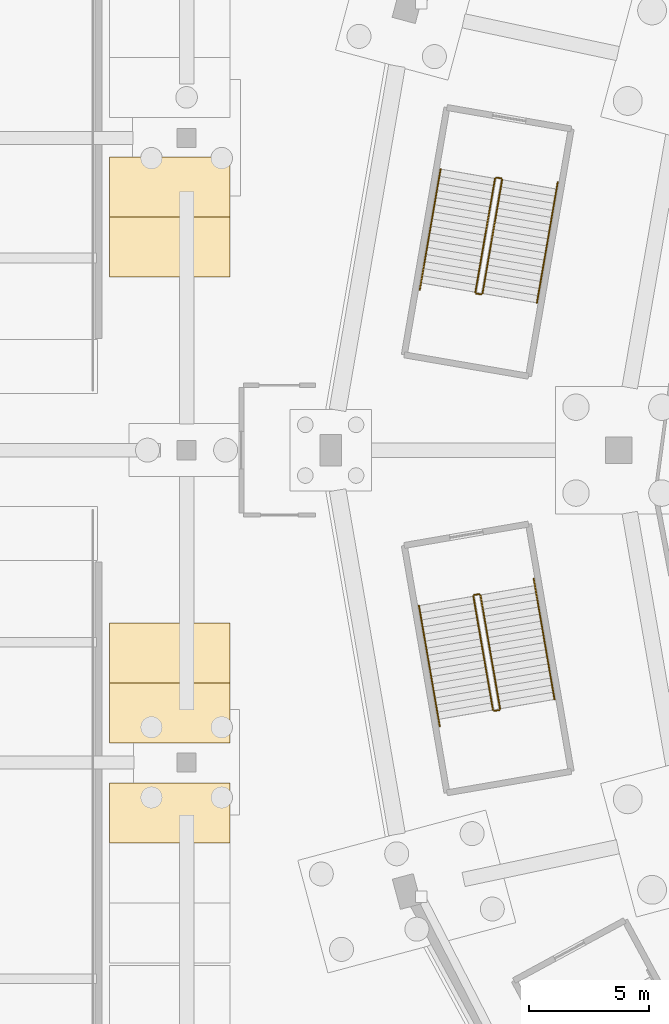
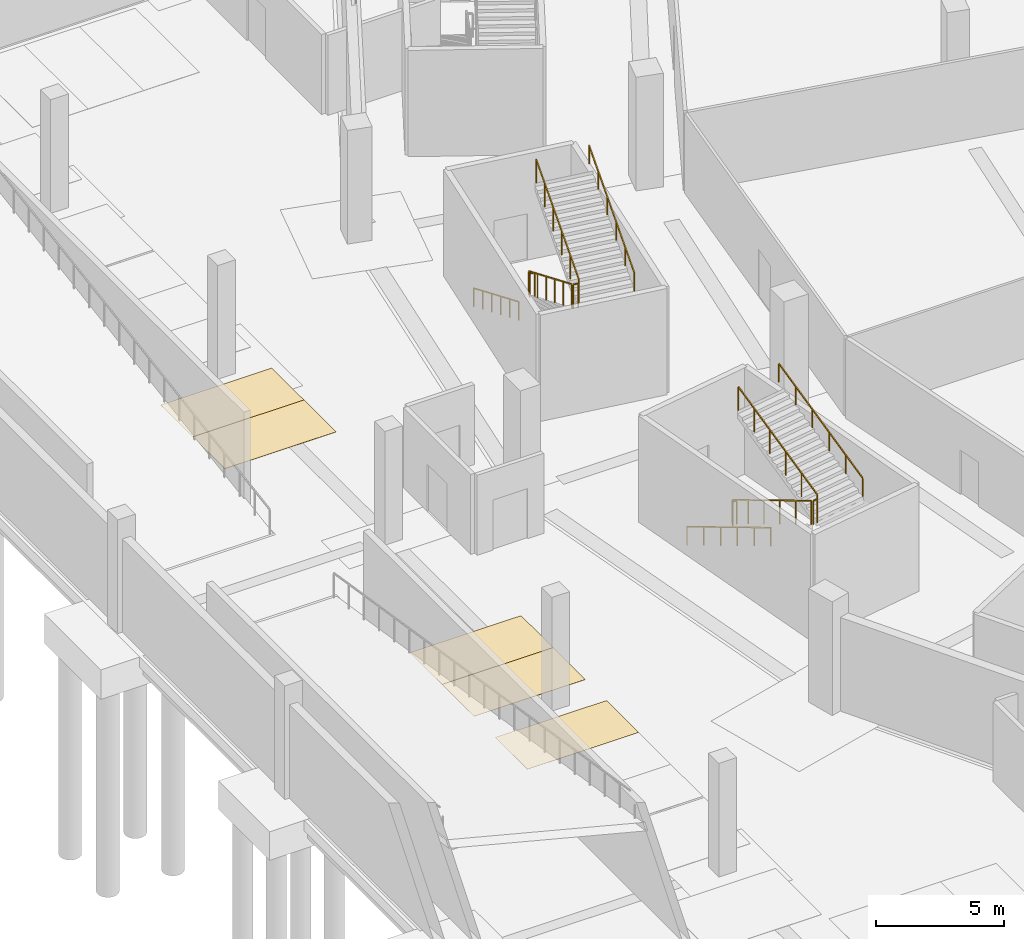
# One storey, part 58 of 74: 12 railings, 5 coverings.
"""IFC4 building model written with IfcOpenShell, lengths in metres."""

from ifc_helpers import new_model, si_unit, direction, frame, origin, origin_2d, place, context, subcontext, project, spatial, polyline, rectangle, outline, extrude, material, layer, layer_set, type_object, element, save


model = new_model("IFC4")

# Units and contexts
model_context = context("Model", 3, precision=1e-05, world=origin(), true_north=direction((0.0, 1.0)))
body_context = subcontext(model_context, "Body", "Model", "MODEL_VIEW")
ifc_project = project(units=[si_unit("LENGTHUNIT", "METRE"), si_unit("AREAUNIT", "SQUARE_METRE"), si_unit("VOLUMEUNIT", "CUBIC_METRE"), si_unit("PLANEANGLEUNIT", "RADIAN"), si_unit("MASSUNIT", "GRAM", prefix="KILO")], contexts=[model_context])

# Site, building, storey
site_placement = place(None, origin())
site = spatial("IfcSite", under=ifc_project, at=site_placement, CompositionType="ELEMENT")
building_placement = place(site_placement, origin())
building = spatial("IfcBuilding", under=site, at=building_placement, Name="Zlatoyarsky Gate Stadium", CompositionType="ELEMENT")
storey_placement = place(building_placement, frame((0.0, 0.0, -5.39990234375)))
storey = spatial("IfcBuildingStorey", under=building, at=storey_placement, Name="B1", CompositionType="ELEMENT", Elevation=-5.39990234375)

# Coverings
ifc_material_1 = material(Name="Reflective epoxy resin parking bay marking")
ifc_layer = layer(ifc_material_1, 0.010009765625)
ifc_layer_set = layer_set([ifc_layer], Name="Reflective epoxy resin parking bay marking")
covering_type = type_object("IfcCoveringType", Name="EPOXY PAINTED PARKING BAY MARKING 10", PredefinedType="USERDEFINED", material=ifc_layer_set)
covering_1_placement = place(storey_placement, origin())
element("IfcCovering", 1, at=covering_1_placement, inside=storey, type_object=covering_type, Name="VIP Parking Bay Marking PK-VIP-09", ObjectType="ROAD MARKING", PredefinedType="USERDEFINED", context=body_context, shape_type="SweptSolid", body=[
    extrude(outline(polyline([(8.800048828125, 63.64990234375), (13.800048828125, 63.64990234375), (13.800048828125, 66.14990234375), (8.800048828125, 66.14990234375), (8.800048828125, 63.64990234375)])), origin(), (0.0, 0.0, 1.0), 0.010009765625),
])
covering_2_placement = place(storey_placement, origin())
element("IfcCovering", 2, at=covering_2_placement, inside=storey, type_object=covering_type, Name="VIP Parking Bay Marking PK-VIP-10", ObjectType="ROAD MARKING", PredefinedType="USERDEFINED", context=body_context, shape_type="SweptSolid", body=[
    extrude(outline(polyline([(8.800048828125, 67.800048828125), (13.800048828125, 67.800048828125), (13.800048828125, 70.300048828125), (8.800048828125, 70.300048828125), (8.800048828125, 67.800048828125)])), origin(), (0.0, 0.0, 1.0), 0.010009765625),
])
covering_3_placement = place(storey_placement, origin())
element("IfcCovering", 3, at=covering_3_placement, inside=storey, type_object=covering_type, Name="VIP Parking Bay Marking PK-VIP-11", ObjectType="ROAD MARKING", PredefinedType="USERDEFINED", context=body_context, shape_type="SweptSolid", body=[
    extrude(outline(polyline([(8.800048828125, 70.300048828125), (13.800048828125, 70.300048828125), (13.800048828125, 72.800048828125), (8.800048828125, 72.800048828125), (8.800048828125, 70.300048828125)])), origin(), (0.0, 0.0, 1.0), 0.010009765625),
])
covering_4_placement = place(storey_placement, origin())
element("IfcCovering", 4, at=covering_4_placement, inside=storey, type_object=covering_type, Name="VIP Parking Bay Marking PK-VIP-12", ObjectType="ROAD MARKING", PredefinedType="USERDEFINED", context=body_context, shape_type="SweptSolid", body=[
    extrude(outline(polyline([(8.800048828125, 87.199951171875), (13.800048828125, 87.199951171875), (13.800048828125, 89.699951171875), (8.800048828125, 89.699951171875), (8.800048828125, 87.199951171875)])), origin(), (0.0, 0.0, 1.0), 0.010009765625),
])
covering_5_placement = place(storey_placement, origin())
element("IfcCovering", 5, at=covering_5_placement, inside=storey, type_object=covering_type, Name="VIP Parking Bay Marking PK-VIP-13", ObjectType="ROAD MARKING", PredefinedType="USERDEFINED", context=body_context, shape_type="SweptSolid", body=[
    extrude(outline(polyline([(8.800048828125, 89.699951171875), (13.800048828125, 89.699951171875), (13.800048828125, 92.199951171875), (8.800048828125, 92.199951171875), (8.800048828125, 89.699951171875)])), origin(), (0.0, 0.0, 1.0), 0.010009765625),
])

# Railings
ifc_material_2 = material(Name="Powder-coated steel stair guardrail", Category="steel")
railing_type_1 = type_object("IfcRailingType", Name="PAINTED STEEL STAIR WELL GUARDRAIL 1150", PredefinedType="GUARDRAIL", material=ifc_material_2)
railing_1_placement = place(storey_placement, frame((23.9404296875, 73.914306640625, 0.15869140625)))
element("IfcRailing", 6, at=railing_1_placement, inside=storey, type_object=railing_type_1, Name="ST-07 B1 stair guard 1", PredefinedType="GUARDRAIL", context=body_context, shape_type="SweptSolid", body=[
    extrude(rectangle(XDim=0.048095703125, YDim=0.048095703125, at=origin_2d()), frame((0.0, 0.0, 1.1259765625), z_axis=(0.150181924986, -0.87092930159, 0.467896934206), x_axis=(0.985456004189, 0.169930761806, 0.0)), (0.0, 0.0, 1.0), 5.43115234375),
    extrude(rectangle(XDim=0.0419921875, YDim=0.0419921875, at=origin_2d()), origin(), (0.0, 0.0, 1.0), 1.101806640625),
    extrude(rectangle(XDim=0.0419921875, YDim=0.0419921875, at=origin_2d()), frame((0.1630859375, -0.946044921875, 0.50830078125)), (0.0, 0.0, 1.0), 1.101806640625),
    extrude(rectangle(XDim=0.0419921875, YDim=0.0419921875, at=origin_2d()), frame((0.326171875, -1.89208984375, 1.0166015625)), (0.0, 0.0, 1.0), 1.101806640625),
    extrude(rectangle(XDim=0.0419921875, YDim=0.0419921875, at=origin_2d()), frame((0.489501953125, -2.838134765625, 1.524658203125)), (0.0, 0.0, 1.0), 1.101806640625),
    extrude(rectangle(XDim=0.0419921875, YDim=0.0419921875, at=origin_2d()), frame((0.652587890625, -3.7841796875, 2.032958984375)), (0.0, 0.0, 1.0), 1.101806640625),
    extrude(rectangle(XDim=0.0419921875, YDim=0.0419921875, at=origin_2d()), frame((0.815673828125, -4.730224609375, 2.541259765625)), (0.0, 0.0, 1.0), 1.101806640625),
])
railing_2_placement = place(storey_placement, frame((24.81396484375, 69.143310546875, 2.699951171875)))
element("IfcRailing", 7, at=railing_2_placement, inside=storey, type_object=railing_type_1, Name="ST-07 B1 stair guard 2", PredefinedType="GUARDRAIL", context=body_context, shape_type="SweptSolid", body=[
    extrude(rectangle(XDim=0.048095703125, YDim=0.048095703125, at=origin_2d()), frame((0.0, 0.0, 1.1259765625), z_axis=(0.985488304827, 0.16974333875, 0.0), x_axis=(-0.16974333875, 0.985488304827, 0.0)), (0.0, 0.0, 1.0), 0.199951171875),
    extrude(rectangle(XDim=0.0419921875, YDim=0.0419921875, at=origin_2d()), origin(), (0.0, 0.0, 1.0), 1.101806640625),
    extrude(rectangle(XDim=0.0419921875, YDim=0.0419921875, at=origin_2d()), frame((0.197021484375, 0.033935546875, 0.0)), (0.0, 0.0, 1.0), 1.101806640625),
])
railing_3_placement = place(storey_placement, frame((25.0517578125, 69.235107421875, 2.858642578125)))
element("IfcRailing", 8, at=railing_3_placement, inside=storey, type_object=railing_type_1, Name="ST-07 B1 stair guard 3", PredefinedType="GUARDRAIL", context=body_context, shape_type="SweptSolid", body=[
    extrude(rectangle(XDim=0.048095703125, YDim=0.048095703125, at=origin_2d()), frame((0.0, 0.0, 1.1259765625), z_axis=(-0.150187804698, 0.870918446042, 0.467915252651), x_axis=(-0.985454535357, -0.169939279582, 0.0)), (0.0, 0.0, 1.0), 5.430908203125),
    extrude(rectangle(XDim=0.0419921875, YDim=0.0419921875, at=origin_2d()), origin(), (0.0, 0.0, 1.0), 1.101806640625),
    extrude(rectangle(XDim=0.0419921875, YDim=0.0419921875, at=origin_2d()), frame((-0.1630859375, 0.946044921875, 0.50830078125)), (0.0, 0.0, 1.0), 1.101806640625),
    extrude(rectangle(XDim=0.0419921875, YDim=0.0419921875, at=origin_2d()), frame((-0.326171875, 1.89208984375, 1.0166015625)), (0.0, 0.0, 1.0), 1.101806640625),
    extrude(rectangle(XDim=0.0419921875, YDim=0.0419921875, at=origin_2d()), frame((-0.489501953125, 2.837890625, 1.524658203125)), (0.0, 0.0, 1.0), 1.101806640625),
    extrude(rectangle(XDim=0.0419921875, YDim=0.0419921875, at=origin_2d()), frame((-0.652587890625, 3.783935546875, 2.032958984375)), (0.0, 0.0, 1.0), 1.101806640625),
    extrude(rectangle(XDim=0.0419921875, YDim=0.0419921875, at=origin_2d()), frame((-0.815673828125, 4.72998046875, 2.541259765625)), (0.0, 0.0, 1.0), 1.101806640625),
])
railing_4_placement = place(storey_placement, frame((23.981201171875, 73.971923828125, 0.0)))
element("IfcRailing", 9, at=railing_4_placement, inside=storey, type_object=railing_type_1, Name="ST-07 B1 stair guard 4", PredefinedType="GUARDRAIL", context=body_context, shape_type="SweptSolid", body=[
    extrude(rectangle(XDim=0.048095703125, YDim=0.048095703125, at=origin_2d()), frame((0.0, 0.0, 1.1259765625), z_axis=(0.985488304827, 0.16974333875, 0.0), x_axis=(-0.16974333875, 0.985488304827, 0.0)), (0.0, 0.0, 1.0), 0.199951171875),
    extrude(rectangle(XDim=0.0419921875, YDim=0.0419921875, at=origin_2d()), origin(), (0.0, 0.0, 1.0), 1.101806640625),
    extrude(rectangle(XDim=0.0419921875, YDim=0.0419921875, at=origin_2d()), frame((0.197021484375, 0.033935546875, 0.0)), (0.0, 0.0, 1.0), 1.101806640625),
])
railing_5_placement = place(storey_placement, frame((24.841064453125, 91.30859375, 0.15869140625)))
element("IfcRailing", 10, at=railing_5_placement, inside=storey, type_object=railing_type_1, Name="ST-18 B1 stair guard 1", PredefinedType="GUARDRAIL", context=body_context, shape_type="SweptSolid", body=[
    extrude(rectangle(XDim=0.048095703125, YDim=0.048095703125, at=origin_2d()), frame((0.0, 0.0, 1.1259765625), z_axis=(-0.150187804698, -0.870918446042, 0.467915252651), x_axis=(0.985454535357, -0.169939279582, 0.0)), (0.0, 0.0, 1.0), 5.430908203125),
    extrude(rectangle(XDim=0.0419921875, YDim=0.0419921875, at=origin_2d()), origin(), (0.0, 0.0, 1.0), 1.101806640625),
    extrude(rectangle(XDim=0.0419921875, YDim=0.0419921875, at=origin_2d()), frame((-0.1630859375, -0.946044921875, 0.50830078125)), (0.0, 0.0, 1.0), 1.101806640625),
    extrude(rectangle(XDim=0.0419921875, YDim=0.0419921875, at=origin_2d()), frame((-0.326171875, -1.89208984375, 1.0166015625)), (0.0, 0.0, 1.0), 1.101806640625),
    extrude(rectangle(XDim=0.0419921875, YDim=0.0419921875, at=origin_2d()), frame((-0.489501953125, -2.837890625, 1.524658203125)), (0.0, 0.0, 1.0), 1.101806640625),
    extrude(rectangle(XDim=0.0419921875, YDim=0.0419921875, at=origin_2d()), frame((-0.652587890625, -3.783935546875, 2.032958984375)), (0.0, 0.0, 1.0), 1.101806640625),
    extrude(rectangle(XDim=0.0419921875, YDim=0.0419921875, at=origin_2d()), frame((-0.815673828125, -4.72998046875, 2.541259765625)), (0.0, 0.0, 1.0), 1.101806640625),
])
railing_6_placement = place(storey_placement, frame((24.066162109375, 86.520751953125, 2.699951171875)))
element("IfcRailing", 11, at=railing_6_placement, inside=storey, type_object=railing_type_1, Name="ST-18 B1 stair guard 2", PredefinedType="GUARDRAIL", context=body_context, shape_type="SweptSolid", body=[
    extrude(rectangle(XDim=0.048095703125, YDim=0.048095703125, at=origin_2d()), frame((0.0, 0.0, 1.1259765625), z_axis=(0.985488304827, -0.16974333875, 0.0), x_axis=(0.16974333875, 0.985488304827, 0.0)), (0.0, 0.0, 1.0), 0.199951171875),
    extrude(rectangle(XDim=0.0419921875, YDim=0.0419921875, at=origin_2d()), origin(), (0.0, 0.0, 1.0), 1.101806640625),
    extrude(rectangle(XDim=0.0419921875, YDim=0.0419921875, at=origin_2d()), frame((0.197021484375, -0.033935546875, 0.0)), (0.0, 0.0, 1.0), 1.101806640625),
])
railing_7_placement = place(storey_placement, frame((24.321044921875, 86.527587890625, 2.858642578125)))
element("IfcRailing", 12, at=railing_7_placement, inside=storey, type_object=railing_type_1, Name="ST-18 B1 stair guard 3", PredefinedType="GUARDRAIL", context=body_context, shape_type="SweptSolid", body=[
    extrude(rectangle(XDim=0.048095703125, YDim=0.048095703125, at=origin_2d()), frame((0.0, 0.0, 1.1259765625), z_axis=(0.150181924986, 0.87092930159, 0.467896934206), x_axis=(-0.985456004189, 0.169930761806, 0.0)), (0.0, 0.0, 1.0), 5.43115234375),
    extrude(rectangle(XDim=0.0419921875, YDim=0.0419921875, at=origin_2d()), origin(), (0.0, 0.0, 1.0), 1.101806640625),
    extrude(rectangle(XDim=0.0419921875, YDim=0.0419921875, at=origin_2d()), frame((0.1630859375, 0.946044921875, 0.50830078125)), (0.0, 0.0, 1.0), 1.101806640625),
    extrude(rectangle(XDim=0.0419921875, YDim=0.0419921875, at=origin_2d()), frame((0.326171875, 1.89208984375, 1.0166015625)), (0.0, 0.0, 1.0), 1.101806640625),
    extrude(rectangle(XDim=0.0419921875, YDim=0.0419921875, at=origin_2d()), frame((0.489501953125, 2.838134765625, 1.524658203125)), (0.0, 0.0, 1.0), 1.101806640625),
    extrude(rectangle(XDim=0.0419921875, YDim=0.0419921875, at=origin_2d()), frame((0.652587890625, 3.7841796875, 2.032958984375)), (0.0, 0.0, 1.0), 1.101806640625),
    extrude(rectangle(XDim=0.0419921875, YDim=0.0419921875, at=origin_2d()), frame((0.815673828125, 4.730224609375, 2.541259765625)), (0.0, 0.0, 1.0), 1.101806640625),
])
railing_8_placement = place(storey_placement, frame((24.89892578125, 91.349365234375, 0.0)))
element("IfcRailing", 13, at=railing_8_placement, inside=storey, type_object=railing_type_1, Name="ST-18 B1 stair guard 4", PredefinedType="GUARDRAIL", context=body_context, shape_type="SweptSolid", body=[
    extrude(rectangle(XDim=0.048095703125, YDim=0.048095703125, at=origin_2d()), frame((0.0, 0.0, 1.1259765625), z_axis=(0.985488304827, -0.16974333875, 0.0), x_axis=(0.16974333875, 0.985488304827, 0.0)), (0.0, 0.0, 1.0), 0.199951171875),
    extrude(rectangle(XDim=0.0419921875, YDim=0.0419921875, at=origin_2d()), origin(), (0.0, 0.0, 1.0), 1.101806640625),
    extrude(rectangle(XDim=0.0419921875, YDim=0.0419921875, at=origin_2d()), frame((0.197021484375, -0.033935546875, 0.0)), (0.0, 0.0, 1.0), 1.101806640625),
])
ifc_material_3 = material(Name="Brushed stainless steel 316 handrail", Category="steel")
railing_type_2 = type_object("IfcRailingType", Name="STAINLESS STEEL TUBULAR HANDRAIL 900", PredefinedType="HANDRAIL", material=ifc_material_3)
railing_9_placement = place(storey_placement, frame((21.673828125, 73.5234375, 0.162841796875)))
element("IfcRailing", 14, at=railing_9_placement, inside=storey, type_object=railing_type_2, Name="ST-07 B1 stair handrail 1", PredefinedType="HANDRAIL", context=body_context, shape_type="SweptSolid", body=[
    extrude(rectangle(XDim=0.048095703125, YDim=0.048095703125, at=origin_2d()), frame((0.0, 0.0, 0.8759765625), z_axis=(0.150191005061, -0.870938600052, 0.467876711259), x_axis=(0.985454587494, 0.169938977247, 0.0)), (0.0, 0.0, 1.0), 5.770751953125),
    extrude(rectangle(XDim=0.0419921875, YDim=0.0419921875, at=origin_2d()), origin(), (0.0, 0.0, 1.0), 0.851806640625),
    extrude(rectangle(XDim=0.0419921875, YDim=0.0419921875, at=origin_2d()), frame((0.17333984375, -1.005126953125, 0.5400390625)), (0.0, 0.0, 1.0), 0.851806640625),
    extrude(rectangle(XDim=0.0419921875, YDim=0.0419921875, at=origin_2d()), frame((0.3466796875, -2.01025390625, 1.080078125)), (0.0, 0.0, 1.0), 0.851806640625),
    extrude(rectangle(XDim=0.0419921875, YDim=0.0419921875, at=origin_2d()), frame((0.52001953125, -3.015625, 1.619873046875)), (0.0, 0.0, 1.0), 0.851806640625),
    extrude(rectangle(XDim=0.0419921875, YDim=0.0419921875, at=origin_2d()), frame((0.693359375, -4.020751953125, 2.159912109375)), (0.0, 0.0, 1.0), 0.851806640625),
    extrude(rectangle(XDim=0.0419921875, YDim=0.0419921875, at=origin_2d()), frame((0.86669921875, -5.02587890625, 2.699951171875)), (0.0, 0.0, 1.0), 0.851806640625),
])
railing_10_placement = place(storey_placement, frame((27.318359375, 69.625732421875, 2.86279296875)))
element("IfcRailing", 15, at=railing_10_placement, inside=storey, type_object=railing_type_2, Name="ST-07 B1 stair handrail 2", PredefinedType="HANDRAIL", context=body_context, shape_type="SweptSolid", body=[
    extrude(rectangle(XDim=0.048095703125, YDim=0.048095703125, at=origin_2d()), frame((0.0, 0.0, 0.8759765625), z_axis=(-0.150191005061, 0.870938600052, 0.467876711259), x_axis=(-0.985454587494, -0.169938977247, 0.0)), (0.0, 0.0, 1.0), 5.770751953125),
    extrude(rectangle(XDim=0.0419921875, YDim=0.0419921875, at=origin_2d()), origin(), (0.0, 0.0, 1.0), 0.851806640625),
    extrude(rectangle(XDim=0.0419921875, YDim=0.0419921875, at=origin_2d()), frame((-0.17333984375, 1.005126953125, 0.5400390625)), (0.0, 0.0, 1.0), 0.851806640625),
    extrude(rectangle(XDim=0.0419921875, YDim=0.0419921875, at=origin_2d()), frame((-0.3466796875, 2.01025390625, 1.080078125)), (0.0, 0.0, 1.0), 0.851806640625),
    extrude(rectangle(XDim=0.0419921875, YDim=0.0419921875, at=origin_2d()), frame((-0.52001953125, 3.015625, 1.619873046875)), (0.0, 0.0, 1.0), 0.851806640625),
    extrude(rectangle(XDim=0.0419921875, YDim=0.0419921875, at=origin_2d()), frame((-0.693359375, 4.020751953125, 2.159912109375)), (0.0, 0.0, 1.0), 0.851806640625),
    extrude(rectangle(XDim=0.0419921875, YDim=0.0419921875, at=origin_2d()), frame((-0.86669921875, 5.02587890625, 2.699951171875)), (0.0, 0.0, 1.0), 0.851806640625),
])
railing_11_placement = place(storey_placement, frame((22.574462890625, 91.699462890625, 0.162841796875)))
element("IfcRailing", 16, at=railing_11_placement, inside=storey, type_object=railing_type_2, Name="ST-18 B1 stair handrail 1", PredefinedType="HANDRAIL", context=body_context, shape_type="SweptSolid", body=[
    extrude(rectangle(XDim=0.048095703125, YDim=0.048095703125, at=origin_2d()), frame((0.0, 0.0, 0.8759765625), z_axis=(-0.150196539333, -0.870928383709, 0.467893951685), x_axis=(0.985453204942, -0.169946994294, 0.0)), (0.0, 0.0, 1.0), 5.7705078125),
    extrude(rectangle(XDim=0.0419921875, YDim=0.0419921875, at=origin_2d()), origin(), (0.0, 0.0, 1.0), 0.851806640625),
    extrude(rectangle(XDim=0.0419921875, YDim=0.0419921875, at=origin_2d()), frame((-0.17333984375, -1.005126953125, 0.5400390625)), (0.0, 0.0, 1.0), 0.851806640625),
    extrude(rectangle(XDim=0.0419921875, YDim=0.0419921875, at=origin_2d()), frame((-0.3466796875, -2.01025390625, 1.080078125)), (0.0, 0.0, 1.0), 0.851806640625),
    extrude(rectangle(XDim=0.0419921875, YDim=0.0419921875, at=origin_2d()), frame((-0.52001953125, -3.015380859375, 1.619873046875)), (0.0, 0.0, 1.0), 0.851806640625),
    extrude(rectangle(XDim=0.0419921875, YDim=0.0419921875, at=origin_2d()), frame((-0.693359375, -4.0205078125, 2.159912109375)), (0.0, 0.0, 1.0), 0.851806640625),
    extrude(rectangle(XDim=0.0419921875, YDim=0.0419921875, at=origin_2d()), frame((-0.86669921875, -5.025634765625, 2.699951171875)), (0.0, 0.0, 1.0), 0.851806640625),
])
railing_12_placement = place(storey_placement, frame((26.587646484375, 86.13671875, 2.86279296875)))
element("IfcRailing", 17, at=railing_12_placement, inside=storey, type_object=railing_type_2, Name="ST-18 B1 stair handrail 2", PredefinedType="HANDRAIL", context=body_context, shape_type="SweptSolid", body=[
    extrude(rectangle(XDim=0.048095703125, YDim=0.048095703125, at=origin_2d()), frame((0.0, 0.0, 0.8759765625), z_axis=(0.150191005061, 0.870938600052, 0.467876711259), x_axis=(-0.985454587494, 0.169938977247, 0.0)), (0.0, 0.0, 1.0), 5.770751953125),
    extrude(rectangle(XDim=0.0419921875, YDim=0.0419921875, at=origin_2d()), origin(), (0.0, 0.0, 1.0), 0.851806640625),
    extrude(rectangle(XDim=0.0419921875, YDim=0.0419921875, at=origin_2d()), frame((0.17333984375, 1.005126953125, 0.5400390625)), (0.0, 0.0, 1.0), 0.851806640625),
    extrude(rectangle(XDim=0.0419921875, YDim=0.0419921875, at=origin_2d()), frame((0.3466796875, 2.01025390625, 1.080078125)), (0.0, 0.0, 1.0), 0.851806640625),
    extrude(rectangle(XDim=0.0419921875, YDim=0.0419921875, at=origin_2d()), frame((0.52001953125, 3.015625, 1.619873046875)), (0.0, 0.0, 1.0), 0.851806640625),
    extrude(rectangle(XDim=0.0419921875, YDim=0.0419921875, at=origin_2d()), frame((0.693359375, 4.020751953125, 2.159912109375)), (0.0, 0.0, 1.0), 0.851806640625),
    extrude(rectangle(XDim=0.0419921875, YDim=0.0419921875, at=origin_2d()), frame((0.86669921875, 5.02587890625, 2.699951171875)), (0.0, 0.0, 1.0), 0.851806640625),
])

save(model, "model.ifc")
